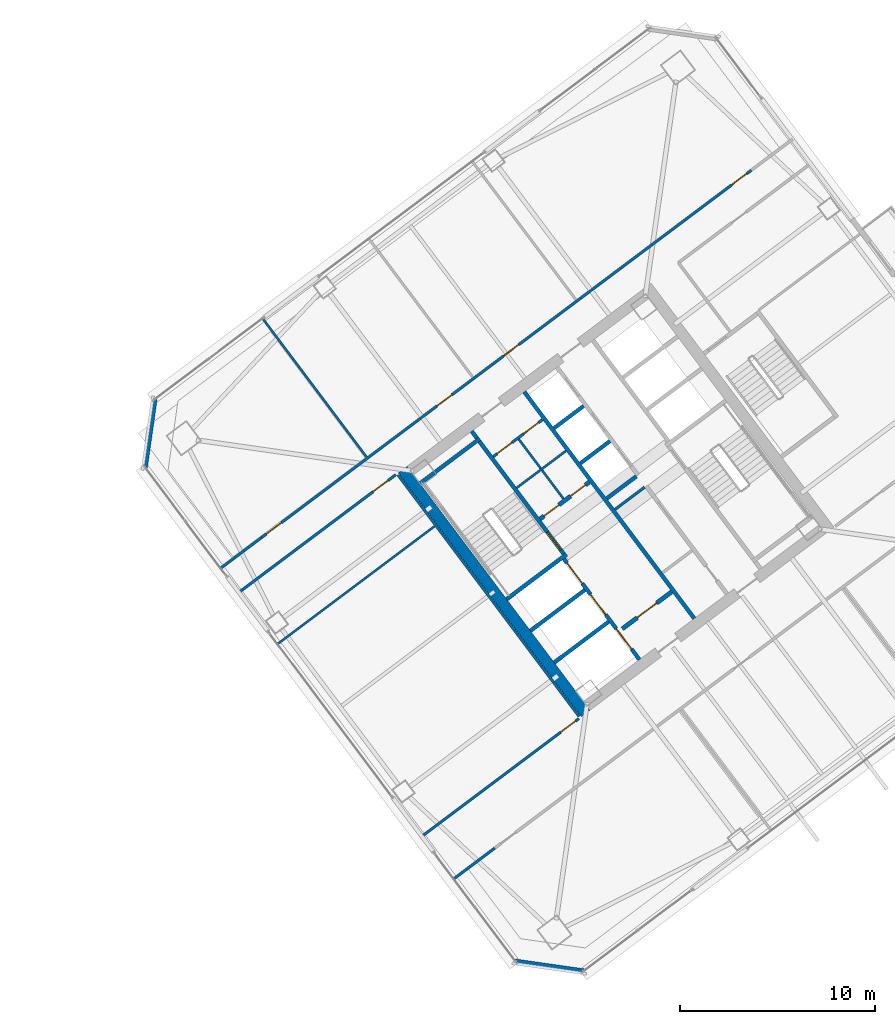
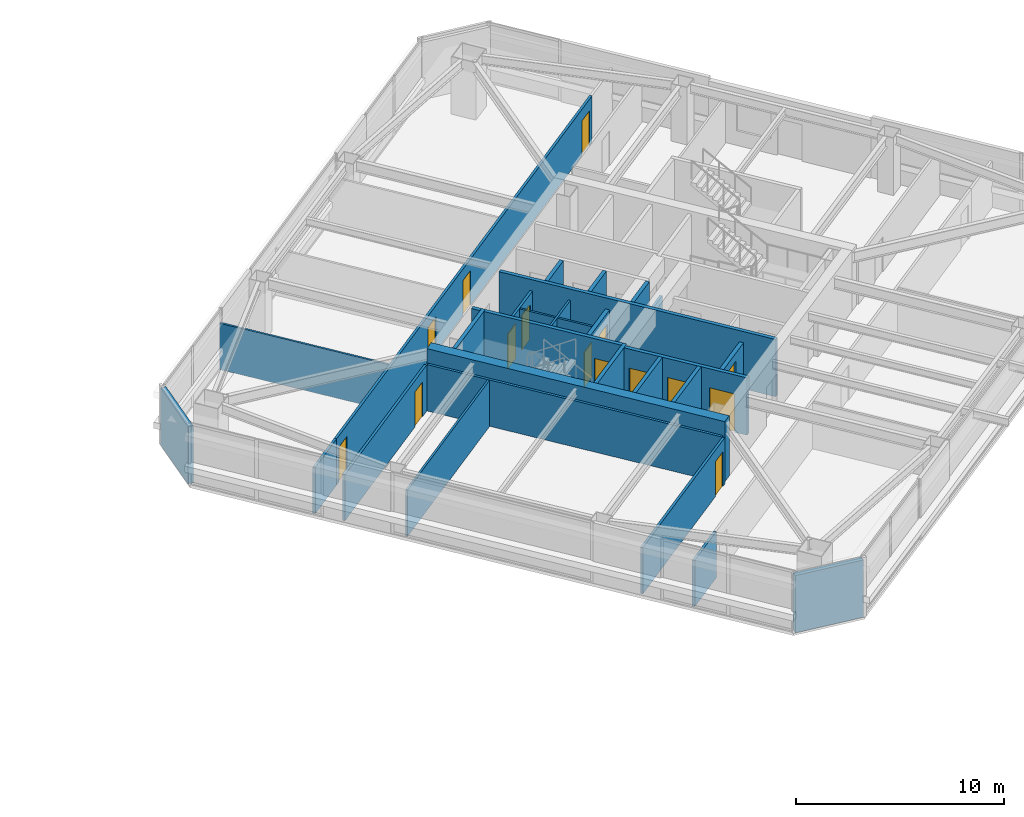
# One storey, part 37 of 46: 27 walls, 15 doors, 15 openings.
"""IFC4 building model written with IfcOpenShell, lengths in metres."""

from ifc_helpers import new_model, si_unit, direction, frame, frame_2d, origin, place, context, subcontext, project, spatial, rectangle, extrude, material, layer, layer_set, type_object, element, fill, save


model = new_model("IFC4")

# Units and contexts
model_context = context("Model", 3, precision=1e-05, world=origin(), true_north=direction((0.0, 1.0)))
body_context = subcontext(model_context, "Body", "Model", "MODEL_VIEW")
ifc_project = project(units=[si_unit("LENGTHUNIT", "METRE"), si_unit("AREAUNIT", "SQUARE_METRE"), si_unit("VOLUMEUNIT", "CUBIC_METRE"), si_unit("PLANEANGLEUNIT", "RADIAN"), si_unit("MASSUNIT", "GRAM", prefix="KILO")], contexts=[model_context])

# Site, building, storey
site_placement = place(None, origin())
site = spatial("IfcSite", under=ifc_project, at=site_placement, CompositionType="ELEMENT")
building_placement = place(site_placement, origin())
building = spatial("IfcBuilding", under=site, at=building_placement, Name="Tashvorn Skyway Center", CompositionType="ELEMENT")
storey_placement = place(building_placement, frame((0.0, 0.0, 132.14990234375)))
storey = spatial("IfcBuildingStorey", under=building, at=storey_placement, Name="L35", CompositionType="ELEMENT", Elevation=132.14990234375)

# Walls
ifc_material_1 = material(Name="Concrete C60/75", Category="concrete")
ifc_layer_1 = layer(ifc_material_1, 0.550048828125)
ifc_layer_set_1 = layer_set([ifc_layer_1], Name="Concrete C60/75")
wall_type_1 = type_object("IfcWallType", Name="WALL-CORE-550", PredefinedType="SHEAR", material=ifc_layer_set_1)
wall_1_placement = place(storey_placement, frame((112.43603515625, 21.076904296875, 0.0), z_axis=(0.0, 0.0, 1.0), x_axis=(-0.600005007985, 0.799996243986, 0.0)))
element("IfcWall", 1, at=wall_1_placement, inside=storey, type_object=wall_type_1, Name="Tower 2 L35 West Core Shear Wall", PredefinedType="SHEAR", context=body_context, shape_type="SweptSolid", body=[
    extrude(rectangle(XDim=15.60009765625, YDim=0.550048828125, at=frame_2d((7.800048828125, 0.0))), origin(), (0.0, 0.0, 1.0), 3.550048828125),
])
ifc_material_2 = material(Name="Precast concrete C40/50", Category="concrete")
ifc_layer_2 = layer(ifc_material_2, 0.280029296875)
ifc_layer_set_2 = layer_set([ifc_layer_2], Name="Precast concrete C40/50")
wall_type_2 = type_object("IfcWallType", Name="WALL-EXT-280", PredefinedType="SOLIDWALL", material=ifc_layer_set_2)
for number, where, z_axis, x_axis, name in (
    (2, (112.340087890625, 7.8798828125, 0.0), (0.0, 0.0, 1.0), (-0.989949493661, 0.141421356237, 0.0), "Tower 2 L35 SW Precast Chamfer Wall"),
    (3, (89.8798828125, 33.659912109375, 0.0), (0.0, 0.0, 1.0), (0.141421356237, 0.989949493661, 0.0), "Tower 2 L35 NW Precast Chamfer Wall"),
):
    element("IfcWall", number, at=place(storey_placement, frame(where, z_axis=z_axis, x_axis=x_axis)), inside=storey, type_object=wall_type_2, Name=name, PredefinedType="SOLIDWALL", context=body_context, shape_type="SweptSolid", body=[
        extrude(rectangle(XDim=3.53564453125, YDim=0.280029296875, at=frame_2d((1.767822265625, 0.0))), origin(), (0.0, 0.0, 1.0), 3.3701171875),
    ])

# Wall, openings, doors
ifc_material_3 = material(Name="Concrete C40/50", Category="concrete")
ifc_layer_3 = layer(ifc_material_3, 0.219970703125)
ifc_layer_set_3 = layer_set([ifc_layer_3], Name="Concrete C40/50")
wall_type_3 = type_object("IfcWallType", Name="WALL-FFL-220", PredefinedType="SOLIDWALL", material=ifc_layer_set_3)
wall_2_placement = place(storey_placement, frame((110.10400390625, 31.028076171875, 0.0), z_axis=(0.0, 0.0, 1.0), x_axis=(0.800018601094, 0.59997519774, 0.0)))
wall_2 = element("IfcWall", 4, at=wall_2_placement, inside=storey, type_object=wall_type_3, Name="Tower 2 L35 Firefighting Lobby North Wall", PredefinedType="SOLIDWALL", context=body_context, shape_type="SweptSolid", body=[
    extrude(rectangle(XDim=3.14990234375, YDim=0.219970703125, at=frame_2d((1.574951171875, 0.0))), origin(), (0.0, 0.0, 1.0), 2.72314453125),
])
opening_1_placement = place(wall_2_placement, frame((0.25, 0.0, 0.0)))
opening_1 = element("IfcOpeningElement", 5, at=opening_1_placement, cuts=wall_2, Name="Opening D-RT-950", PredefinedType="OPENING", context=body_context, shape_type="SweptSolid", body=[
    extrude(rectangle(XDim=0.949951171875, YDim=2.050048828125, at=frame_2d((0.47509765625, 1.02490234375))), frame((0.0, 0.119873046875, 0.0), z_axis=(0.0, -1.0, 0.0), x_axis=(1.0, 0.0, 0.0)), (0.0, 0.0, 1.0), 0.239990234375),
])
opening_2_placement = place(wall_2_placement, frame((1.949951171875, 0.0, 0.0)))
opening_2 = element("IfcOpeningElement", 6, at=opening_2_placement, cuts=wall_2, Name="Opening D-RT-950", PredefinedType="OPENING", context=body_context, shape_type="SweptSolid", body=[
    extrude(rectangle(XDim=0.949951171875, YDim=2.050048828125, at=frame_2d((0.47509765625, 1.02490234375))), frame((0.0, 0.119873046875, 0.0), z_axis=(0.0, -1.0, 0.0), x_axis=(1.0, 0.0, 0.0)), (0.0, 0.0, 1.0), 0.239990234375),
])
ifc_material_4 = material(Name="Hollow galvanized steel fire door assembly", Category="steel")
door_type_1 = type_object("IfcDoorType", Name="DOOR-RATED-950", OperationType="NOTDEFINED", PredefinedType="DOOR", material=ifc_material_4)
door_1_placement = place(opening_1_placement, origin())
door_1 = element("IfcDoor", 7, at=door_1_placement, inside=storey, type_object=door_type_1, Name="Tower 2 L35 Core Mail Room Door", OperationType="SINGLE_SWING_LEFT", OverallHeight=2.050048828125, OverallWidth=0.949951171875, PredefinedType="DOOR", context=body_context, shape_type="SweptSolid", body=[
    extrude(rectangle(XDim=0.949951171875, YDim=2.050048828125, at=frame_2d((0.47509765625, 1.02490234375))), frame((0.0, 0.02490234375, 0.0), z_axis=(0.0, -1.0, 0.0), x_axis=(1.0, 0.0, 0.0)), (0.0, 0.0, 1.0), 0.050048828125),
])
fill(opening_1, door_1)
door_2_placement = place(opening_2_placement, origin())
door_2 = element("IfcDoor", 8, at=door_2_placement, inside=storey, type_object=door_type_1, Name="Tower 2 L35 Core Supply Closet Door", OperationType="SINGLE_SWING_RIGHT", OverallHeight=2.050048828125, OverallWidth=0.949951171875, PredefinedType="DOOR", context=body_context, shape_type="SweptSolid", body=[
    extrude(rectangle(XDim=0.949951171875, YDim=2.050048828125, at=frame_2d((0.47509765625, 1.02490234375))), frame((0.0, 0.02490234375, 0.0), z_axis=(0.0, -1.0, 0.0), x_axis=(1.0, 0.0, 0.0)), (0.0, 0.0, 1.0), 0.050048828125),
])
fill(opening_2, door_2)

# Wall, opening, door
wall_3_placement = place(storey_placement, frame((114.31591796875, 25.412109375, 0.0), z_axis=(0.0, 0.0, 1.0), x_axis=(0.800018601094, 0.59997519774, 0.0)))
wall_3 = element("IfcWall", 9, at=wall_3_placement, inside=storey, type_object=wall_type_3, Name="Tower 2 L35 Firefighting Lobby South Wall", PredefinedType="SOLIDWALL", context=body_context, shape_type="SweptSolid", body=[
    extrude(rectangle(XDim=3.14990234375, YDim=0.219970703125, at=frame_2d((1.574951171875, 0.0))), origin(), (0.0, 0.0, 1.0), 2.72314453125),
])
opening_3_placement = place(wall_3_placement, frame((0.949951171875, 0.0, 0.0)))
opening_3 = element("IfcOpeningElement", 10, at=opening_3_placement, cuts=wall_3, Name="Opening D-FFL-1250", PredefinedType="OPENING", context=body_context, shape_type="SweptSolid", body=[
    extrude(rectangle(XDim=1.25, YDim=2.25, at=frame_2d((0.625, 1.125))), frame((0.0, 0.119873046875, 0.0), z_axis=(0.0, -1.0, 0.0), x_axis=(1.0, 0.0, 0.0)), (0.0, 0.0, 1.0), 0.239990234375),
])
door_type_2 = type_object("IfcDoorType", Name="DOOR-FFL-1250", OperationType="NOTDEFINED", PredefinedType="DOOR", material=ifc_material_4)
door_3_placement = place(opening_3_placement, origin())
door_3 = element("IfcDoor", 11, at=door_3_placement, inside=storey, type_object=door_type_2, Name="Tower 2 L35 Firefighting Lobby Egress Door", OperationType="SINGLE_SWING_LEFT", OverallHeight=2.25, OverallWidth=1.25, PredefinedType="DOOR", context=body_context, shape_type="SweptSolid", body=[
    extrude(rectangle(XDim=1.25, YDim=2.25, at=frame_2d((0.625, 1.125))), frame((0.0, 0.02490234375, 0.0), z_axis=(0.0, -1.0, 0.0), x_axis=(1.0, 0.0, 0.0)), (0.0, 0.0, 1.0), 0.050048828125),
])
fill(opening_3, door_3)

# Walls
ifc_material_5 = material(Name="Gypsum board on cold-formed steel stud framing", Category="steel")
ifc_layer_4 = layer(ifc_material_5, 0.110107421875)
ifc_layer_set_4 = layer_set([ifc_layer_4], Name="Gypsum board on cold-formed steel stud framing")
wall_type_4 = type_object("IfcWallType", Name="WALL-PART-110", PredefinedType="PARTITIONING", material=ifc_layer_set_4)
wall_4_placement = place(storey_placement, frame((101.221923828125, 34.2041015625, 0.0), z_axis=(0.0, 0.0, 1.0), x_axis=(-0.599995586027, 0.800003310461, 0.0)))
element("IfcWall", 12, at=wall_4_placement, inside=storey, type_object=wall_type_4, Name="Tower 2 L35 North Suite Partition 1", PredefinedType="PARTITIONING", context=body_context, shape_type="SweptSolid", body=[
    extrude(rectangle(XDim=8.849853515625, YDim=0.110107421875, at=frame_2d((4.4248046875, 0.0))), origin(), (0.0, 0.0, 1.0), 2.72314453125),
])
wall_5_placement = place(storey_placement, frame((96.676025390625, 24.632080078125, 0.0), z_axis=(0.0, 0.0, 1.0), x_axis=(0.800002918023, 0.599996109283, 0.0)))
element("IfcWall", 13, at=wall_5_placement, inside=storey, type_object=wall_type_4, Name="Tower 2 L35 West Mid Partition", PredefinedType="PARTITIONING", context=body_context, shape_type="SweptSolid", body=[
    extrude(rectangle(XDim=10.0400390625, YDim=0.110107421875, at=frame_2d((5.02001953125, 0.0))), origin(), (0.0, 0.0, 1.0), 2.72314453125),
])

# Wall, openings, doors
ifc_layer_5 = layer(ifc_material_5, 0.135009765625)
ifc_layer_set_5 = layer_set([ifc_layer_5], Name="Gypsum board on cold-formed steel stud framing")
wall_type_5 = type_object("IfcWallType", Name="WALL-PART-135", PredefinedType="PARTITIONING", material=ifc_layer_set_5)
wall_6_placement = place(storey_placement, frame((95.8701171875, 30.090087890625, 0.0), z_axis=(0.0, 0.0, 1.0), x_axis=(0.799997191971, 0.600003744021, 0.0)))
wall_6 = element("IfcWall", 14, at=wall_6_placement, inside=storey, type_object=wall_type_5, Name="Tower 2 L35 North Suite Wall", PredefinedType="PARTITIONING", context=body_context, shape_type="SweptSolid", body=[
    extrude(rectangle(XDim=31.2998046875, YDim=0.135009765625, at=frame_2d((15.64990234375, 0.0))), origin(), (0.0, 0.0, 1.0), 2.72314453125),
])
opening_4_placement = place(wall_6_placement, frame((0.300048828125, 0.0, 0.0)))
opening_4 = element("IfcOpeningElement", 15, at=opening_4_placement, cuts=wall_6, Name="Opening D-INT-950", PredefinedType="OPENING", context=body_context, shape_type="SweptSolid", body=[
    extrude(rectangle(XDim=0.949951171875, YDim=2.050048828125, at=frame_2d((0.47509765625, 1.02490234375))), frame((0.0, 0.077392578125, 0.0), z_axis=(0.0, -1.0, 0.0), x_axis=(1.0, 0.0, 0.0)), (0.0, 0.0, 1.0), 0.155029296875),
])
opening_5_placement = place(wall_6_placement, frame((11.201904296875, 0.0, 0.0)))
opening_5 = element("IfcOpeningElement", 16, at=opening_5_placement, cuts=wall_6, Name="Opening D-INT-950", PredefinedType="OPENING", context=body_context, shape_type="SweptSolid", body=[
    extrude(rectangle(XDim=0.949951171875, YDim=2.050048828125, at=frame_2d((0.47509765625, 1.02490234375))), frame((0.0, 0.077392578125, 0.0), z_axis=(0.0, -1.0, 0.0), x_axis=(1.0, 0.0, 0.0)), (0.0, 0.0, 1.0), 0.155029296875),
])
opening_6_placement = place(wall_6_placement, frame((15.47412109375, 0.0, 0.0)))
opening_6 = element("IfcOpeningElement", 17, at=opening_6_placement, cuts=wall_6, Name="Opening D-INT-950", PredefinedType="OPENING", context=body_context, shape_type="SweptSolid", body=[
    extrude(rectangle(XDim=0.949951171875, YDim=2.050048828125, at=frame_2d((0.47509765625, 1.02490234375))), frame((0.0, 0.077392578125, 0.0), z_axis=(0.0, -1.0, 0.0), x_axis=(1.0, 0.0, 0.0)), (0.0, 0.0, 1.0), 0.155029296875),
])
opening_7_placement = place(wall_6_placement, frame((30.050048828125, 0.0, 0.0)))
opening_7 = element("IfcOpeningElement", 18, at=opening_7_placement, cuts=wall_6, Name="Opening D-INT-950", PredefinedType="OPENING", context=body_context, shape_type="SweptSolid", body=[
    extrude(rectangle(XDim=0.949951171875, YDim=2.050048828125, at=frame_2d((0.47509765625, 1.02490234375))), frame((0.0, 0.077392578125, 0.0), z_axis=(0.0, -1.0, 0.0), x_axis=(1.0, 0.0, 0.0)), (0.0, 0.0, 1.0), 0.155029296875),
])
ifc_material_6 = material(Name="Solid-core architectural oak veneer door")
door_type_3 = type_object("IfcDoorType", Name="DOOR-INT-950", OperationType="NOTDEFINED", PredefinedType="DOOR", material=ifc_material_6)
door_4_placement = place(opening_4_placement, origin())
door_4 = element("IfcDoor", 19, at=door_4_placement, inside=storey, type_object=door_type_3, Name="Tower 2 L35 Conference Room Door", OperationType="SINGLE_SWING_LEFT", OverallHeight=2.050048828125, OverallWidth=0.949951171875, PredefinedType="DOOR", context=body_context, shape_type="SweptSolid", body=[
    extrude(rectangle(XDim=0.949951171875, YDim=2.050048828125, at=frame_2d((0.47509765625, 1.02490234375))), frame((0.0, 0.02490234375, 0.0), z_axis=(0.0, -1.0, 0.0), x_axis=(1.0, 0.0, 0.0)), (0.0, 0.0, 1.0), 0.050048828125),
])
fill(opening_4, door_4)
door_5_placement = place(opening_5_placement, origin())
door_5 = element("IfcDoor", 20, at=door_5_placement, inside=storey, type_object=door_type_3, Name="Tower 2 L35 Conference Room Door", OperationType="SINGLE_SWING_RIGHT", OverallHeight=2.050048828125, OverallWidth=0.949951171875, PredefinedType="DOOR", context=body_context, shape_type="SweptSolid", body=[
    extrude(rectangle(XDim=0.949951171875, YDim=2.050048828125, at=frame_2d((0.47509765625, 1.02490234375))), frame((0.0, 0.02490234375, 0.0), z_axis=(0.0, -1.0, 0.0), x_axis=(1.0, 0.0, 0.0)), (0.0, 0.0, 1.0), 0.050048828125),
])
fill(opening_5, door_5)
door_6_placement = place(opening_6_placement, origin())
door_6 = element("IfcDoor", 21, at=door_6_placement, inside=storey, type_object=door_type_3, Name="Tower 2 L35 Design Studio Door", OperationType="SINGLE_SWING_LEFT", OverallHeight=2.050048828125, OverallWidth=0.949951171875, PredefinedType="DOOR", context=body_context, shape_type="SweptSolid", body=[
    extrude(rectangle(XDim=0.949951171875, YDim=2.050048828125, at=frame_2d((0.47509765625, 1.02490234375))), frame((0.0, 0.02490234375, 0.0), z_axis=(0.0, -1.0, 0.0), x_axis=(1.0, 0.0, 0.0)), (0.0, 0.0, 1.0), 0.050048828125),
])
fill(opening_6, door_6)
door_7_placement = place(opening_7_placement, origin())
door_7 = element("IfcDoor", 22, at=door_7_placement, inside=storey, type_object=door_type_3, Name="Tower 2 L35 Gallery Showroom Door", OperationType="SINGLE_SWING_RIGHT", OverallHeight=2.050048828125, OverallWidth=0.949951171875, PredefinedType="DOOR", context=body_context, shape_type="SweptSolid", body=[
    extrude(rectangle(XDim=0.949951171875, YDim=2.050048828125, at=frame_2d((0.47509765625, 1.02490234375))), frame((0.0, 0.02490234375, 0.0), z_axis=(0.0, -1.0, 0.0), x_axis=(1.0, 0.0, 0.0)), (0.0, 0.0, 1.0), 0.050048828125),
])
fill(opening_7, door_7)

# Walls
for number, where, z_axis, x_axis, name in (
    (23, (93.76611328125, 28.511962890625, 0.0), (0.0, 0.0, 1.0), (0.799977721118, 0.600029704027, 0.0), "Tower 2 L35 North-West Suite South Wall"),
    (24, (105.68798828125, 12.615966796875, 0.0), (0.0, 0.0, 1.0), (0.799977721118, 0.600029704027, 0.0), "Tower 2 L35 South-West Suite North Wall"),
):
    element("IfcWall", number, at=place(storey_placement, frame(where, z_axis=z_axis, x_axis=x_axis)), inside=storey, type_object=wall_type_5, Name=name, PredefinedType="PARTITIONING", context=body_context, shape_type="SweptSolid", body=[
        extrude(rectangle(XDim=2.630126953125, YDim=0.135009765625, at=frame_2d((1.31494140625, 0.0))), origin(), (0.0, 0.0, 1.0), 2.72314453125),
    ])
wall_7_placement = place(storey_placement, frame((112.10400390625, 20.927978515625, 0.0), z_axis=(0.0, 0.0, 1.0), x_axis=(-0.599994940075, 0.800003794918, 0.0)))
element("IfcWall", 25, at=wall_7_placement, inside=storey, type_object=wall_type_5, Name="Tower 2 L35 West Inner Suite Wall", PredefinedType="PARTITIONING", context=body_context, shape_type="SweptSolid", body=[
    extrude(rectangle(XDim=15.43994140625, YDim=0.135009765625, at=frame_2d((7.719970703125, 0.0))), origin(), (0.0, 0.0, 1.0), 2.72314453125),
])

# Wall, opening, door
wall_8_placement = place(storey_placement, frame((102.72802734375, 33.2958984375, 0.0), z_axis=(0.0, 0.0, 1.0), x_axis=(-0.800002918023, -0.599996109283, 0.0)))
wall_8 = element("IfcWall", 26, at=wall_8_placement, inside=storey, type_object=wall_type_5, Name="Tower 2 L35 West Suite North Wall", PredefinedType="PARTITIONING", context=body_context, shape_type="SweptSolid", body=[
    extrude(rectangle(XDim=10.0400390625, YDim=0.135009765625, at=frame_2d((5.02001953125, 0.0))), origin(), (0.0, 0.0, 1.0), 2.72314453125),
])
opening_8_placement = place(wall_8_placement, frame((0.5, 0.0, 0.0)))
opening_8 = element("IfcOpeningElement", 27, at=opening_8_placement, cuts=wall_8, Name="Opening D-INT-950", PredefinedType="OPENING", context=body_context, shape_type="SweptSolid", body=[
    extrude(rectangle(XDim=0.949951171875, YDim=2.050048828125, at=frame_2d((0.47509765625, 1.02490234375))), frame((0.0, 0.077392578125, 0.0), z_axis=(0.0, -1.0, 0.0), x_axis=(1.0, 0.0, 0.0)), (0.0, 0.0, 1.0), 0.155029296875),
])
door_8_placement = place(opening_8_placement, origin())
door_8 = element("IfcDoor", 28, at=door_8_placement, inside=storey, type_object=door_type_3, Name="Tower 2 L35 Catering Pantry Door", OperationType="SINGLE_SWING_RIGHT", OverallHeight=2.050048828125, OverallWidth=0.949951171875, PredefinedType="DOOR", context=body_context, shape_type="SweptSolid", body=[
    extrude(rectangle(XDim=0.949951171875, YDim=2.050048828125, at=frame_2d((0.47509765625, 1.02490234375))), frame((0.0, 0.02490234375, 0.0), z_axis=(0.0, -1.0, 0.0), x_axis=(1.0, 0.0, 0.0)), (0.0, 0.0, 1.0), 0.050048828125),
])
fill(opening_8, door_8)

wall_9_placement = place(storey_placement, frame((104.055908203125, 14.7919921875, 0.0), z_axis=(0.0, 0.0, 1.0), x_axis=(0.800002918023, 0.599996109283, 0.0)))
wall_9 = element("IfcWall", 29, at=wall_9_placement, inside=storey, type_object=wall_type_5, Name="Tower 2 L35 West Suite South Wall", PredefinedType="PARTITIONING", context=body_context, shape_type="SweptSolid", body=[
    extrude(rectangle(XDim=10.0400390625, YDim=0.135009765625, at=frame_2d((5.02001953125, 0.0))), origin(), (0.0, 0.0, 1.0), 2.72314453125),
])
opening_9_placement = place(wall_9_placement, frame((8.8798828125, 0.0, 0.0)))
opening_9 = element("IfcOpeningElement", 30, at=opening_9_placement, cuts=wall_9, Name="Opening D-INT-950", PredefinedType="OPENING", context=body_context, shape_type="SweptSolid", body=[
    extrude(rectangle(XDim=0.949951171875, YDim=2.050048828125, at=frame_2d((0.47509765625, 1.02490234375))), frame((0.0, 0.077392578125, 0.0), z_axis=(0.0, -1.0, 0.0), x_axis=(1.0, 0.0, 0.0)), (0.0, 0.0, 1.0), 0.155029296875),
])
door_9_placement = place(opening_9_placement, origin())
door_9 = element("IfcDoor", 31, at=door_9_placement, inside=storey, type_object=door_type_3, Name="Tower 2 L35 Public Restroom Door", OperationType="SINGLE_SWING_LEFT", OverallHeight=2.050048828125, OverallWidth=0.949951171875, PredefinedType="DOOR", context=body_context, shape_type="SweptSolid", body=[
    extrude(rectangle(XDim=0.949951171875, YDim=2.050048828125, at=frame_2d((0.47509765625, 1.02490234375))), frame((0.0, 0.02490234375, 0.0), z_axis=(0.0, -1.0, 0.0), x_axis=(1.0, 0.0, 0.0)), (0.0, 0.0, 1.0), 0.050048828125),
])
fill(opening_9, door_9)

# Walls
ifc_layer_6 = layer(ifc_material_5, 0.110107421875)
ifc_layer_set_6 = layer_set([ifc_layer_6], Name="Gypsum board on cold-formed steel stud framing")
wall_type_6 = type_object("IfcWallType", Name="WALL-RATED-110", PredefinedType="PARTITIONING", material=ifc_layer_set_6)
wall_10_placement = place(storey_placement, frame((111.2958984375, 32.072021484375, 0.0), z_axis=(0.0, 0.0, 1.0), x_axis=(-0.59995887973, 0.800030838552, 0.0)))
element("IfcWall", 32, at=wall_10_placement, inside=storey, type_object=wall_type_6, Name="Tower 2 L35 Core Cross Vertical", PredefinedType="PARTITIONING", context=body_context, shape_type="SweptSolid", body=[
    extrude(rectangle(XDim=3.7998046875, YDim=0.110107421875, at=frame_2d((1.89990234375, 0.0))), origin(), (0.0, 0.0, 1.0), 2.72314453125),
])
wall_11_placement = place(storey_placement, frame((108.909912109375, 32.6201171875, 0.0), z_axis=(0.0, 0.0, 1.0), x_axis=(0.800018601094, 0.59997519774, 0.0)))
element("IfcWall", 33, at=wall_11_placement, inside=storey, type_object=wall_type_6, Name="Tower 2 L35 Core Cross Horizontal", PredefinedType="PARTITIONING", context=body_context, shape_type="SweptSolid", body=[
    extrude(rectangle(XDim=3.14990234375, YDim=0.110107421875, at=frame_2d((1.574951171875, 0.0))), origin(), (0.0, 0.0, 1.0), 2.72314453125),
])

# Wall, openings, doors
ifc_layer_7 = layer(ifc_material_5, 0.135009765625)
ifc_layer_set_7 = layer_set([ifc_layer_7], Name="Gypsum board on cold-formed steel stud framing")
wall_type_7 = type_object("IfcWallType", Name="WALL-RATED-135", PredefinedType="PARTITIONING", material=ifc_layer_set_7)
wall_12_placement = place(storey_placement, frame((107.7099609375, 34.219970703125, 0.0), z_axis=(0.0, 0.0, 1.0), x_axis=(0.799981399002, 0.60002480053, 0.0)))
wall_12 = element("IfcWall", 34, at=wall_12_placement, inside=storey, type_object=wall_type_7, Name="Tower 2 L35 Core Service Lobby Wall", PredefinedType="PARTITIONING", context=body_context, shape_type="SweptSolid", body=[
    extrude(rectangle(XDim=3.150146484375, YDim=0.135009765625, at=frame_2d((1.5751953125, 0.0))), origin(), (0.0, 0.0, 1.0), 2.72314453125),
])
opening_10_placement = place(wall_12_placement, frame((0.25, 0.0, 0.0)))
opening_10 = element("IfcOpeningElement", 35, at=opening_10_placement, cuts=wall_12, Name="Opening D-RT-950", PredefinedType="OPENING", context=body_context, shape_type="SweptSolid", body=[
    extrude(rectangle(XDim=0.949951171875, YDim=2.050048828125, at=frame_2d((0.47509765625, 1.02490234375))), frame((0.0, 0.077392578125, 0.0), z_axis=(0.0, -1.0, 0.0), x_axis=(1.0, 0.0, 0.0)), (0.0, 0.0, 1.0), 0.155029296875),
])
opening_11_placement = place(wall_12_placement, frame((1.949951171875, 0.0, 0.0)))
opening_11 = element("IfcOpeningElement", 36, at=opening_11_placement, cuts=wall_12, Name="Opening D-RT-950", PredefinedType="OPENING", context=body_context, shape_type="SweptSolid", body=[
    extrude(rectangle(XDim=0.949951171875, YDim=2.050048828125, at=frame_2d((0.47509765625, 1.02490234375))), frame((0.0, 0.077392578125, 0.0), z_axis=(0.0, -1.0, 0.0), x_axis=(1.0, 0.0, 0.0)), (0.0, 0.0, 1.0), 0.155029296875),
])
door_10_placement = place(opening_10_placement, origin())
door_10 = element("IfcDoor", 37, at=door_10_placement, inside=storey, type_object=door_type_1, Name="Tower 2 L35 Core Cleaner Store Door", OperationType="SINGLE_SWING_LEFT", OverallHeight=2.050048828125, OverallWidth=0.949951171875, PredefinedType="DOOR", context=body_context, shape_type="SweptSolid", body=[
    extrude(rectangle(XDim=0.949951171875, YDim=2.050048828125, at=frame_2d((0.47509765625, 1.02490234375))), frame((0.0, 0.02490234375, 0.0), z_axis=(0.0, -1.0, 0.0), x_axis=(1.0, 0.0, 0.0)), (0.0, 0.0, 1.0), 0.050048828125),
])
fill(opening_10, door_10)
door_11_placement = place(opening_11_placement, origin())
door_11 = element("IfcDoor", 38, at=door_11_placement, inside=storey, type_object=door_type_1, Name="Tower 2 L35 Core Accessible WC Door", OperationType="SINGLE_SWING_RIGHT", OverallHeight=2.050048828125, OverallWidth=0.949951171875, PredefinedType="DOOR", context=body_context, shape_type="SweptSolid", body=[
    extrude(rectangle(XDim=0.949951171875, YDim=2.050048828125, at=frame_2d((0.47509765625, 1.02490234375))), frame((0.0, 0.02490234375, 0.0), z_axis=(0.0, -1.0, 0.0), x_axis=(1.0, 0.0, 0.0)), (0.0, 0.0, 1.0), 0.050048828125),
])
fill(opening_11, door_11)

# Walls
wall_13_placement = place(storey_placement, frame((113.946044921875, 31.52197265625, 0.0), z_axis=(0.0, 0.0, 1.0), x_axis=(0.8, 0.6, 0.0)))
element("IfcWall", 39, at=wall_13_placement, inside=storey, type_object=wall_type_7, Name="Tower 2 L35 Core Room Partition", PredefinedType="PARTITIONING", context=body_context, shape_type="SweptSolid", body=[
    extrude(rectangle(XDim=1.8798828125, YDim=0.135009765625, at=frame_2d((0.93994140625, 0.0))), origin(), (0.0, 0.0, 1.0), 2.72314453125),
])
ifc_layer_8 = layer(ifc_material_3, 0.199951171875)
ifc_layer_set_8 = layer_set([ifc_layer_8], Name="Concrete C40/50")
wall_type_8 = type_object("IfcWallType", Name="WALL-SHAFT-200", PredefinedType="SOLIDWALL", material=ifc_layer_set_8)
for number, where, z_axis, x_axis, name in (
    (40, (110.825927734375, 23.681884765625, 0.0), (0.0, 0.0, 1.0), (0.8, 0.6, 0.0), "Tower 2 L35 FSAE Shaft Divider"),
    (41, (109.60791015625, 25.305908203125, 0.0), (0.0, 0.0, 1.0), (0.8, 0.6, 0.0), "Tower 2 L35 FSAE Shaft Divider"),
):
    element("IfcWall", number, at=place(storey_placement, frame(where, z_axis=z_axis, x_axis=x_axis)), inside=storey, type_object=wall_type_8, Name=name, PredefinedType="SOLIDWALL", context=body_context, shape_type="SweptSolid", body=[
        extrude(rectangle(XDim=3.480224609375, YDim=0.199951171875, at=frame_2d((1.740234375, 0.0))), origin(), (0.0, 0.0, 1.0), 3.3701171875),
    ])
wall_14_placement = place(storey_placement, frame((113.52587890625, 32.08203125, 0.0), z_axis=(0.0, 0.0, 1.0), x_axis=(0.800046745961, 0.599937666993, 0.0)))
element("IfcWall", 42, at=wall_14_placement, inside=storey, type_object=wall_type_8, Name="Tower 2 L35 Mid-Rise Shaft Divider", PredefinedType="SOLIDWALL", context=body_context, shape_type="SweptSolid", body=[
    extrude(rectangle(XDim=1.880126953125, YDim=0.199951171875, at=frame_2d((0.93994140625, 0.0))), origin(), (0.0, 0.0, 1.0), 3.3701171875),
])
wall_15_placement = place(storey_placement, frame((112.176025390625, 33.882080078125, 0.0), z_axis=(0.0, 0.0, 1.0), x_axis=(0.8, 0.6, 0.0)))
element("IfcWall", 43, at=wall_15_placement, inside=storey, type_object=wall_type_8, Name="Tower 2 L35 Mid-Rise Shaft Divider", PredefinedType="SOLIDWALL", context=body_context, shape_type="SweptSolid", body=[
    extrude(rectangle(XDim=1.8798828125, YDim=0.199951171875, at=frame_2d((0.93994140625, 0.0))), origin(), (0.0, 0.0, 1.0), 3.3701171875),
])
wall_16_placement = place(storey_placement, frame((110.825927734375, 35.681884765625, 0.0), z_axis=(0.0, 0.0, 1.0), x_axis=(0.799984418148, 0.600020775241, 0.0)))
element("IfcWall", 44, at=wall_16_placement, inside=storey, type_object=wall_type_8, Name="Tower 2 L35 Mid-Rise Shaft Divider", PredefinedType="SOLIDWALL", context=body_context, shape_type="SweptSolid", body=[
    extrude(rectangle(XDim=1.880126953125, YDim=0.199951171875, at=frame_2d((0.93994140625, 0.0))), origin(), (0.0, 0.0, 1.0), 3.3701171875),
])

# Wall, opening, door
ifc_layer_9 = layer(ifc_material_3, 0.199951171875)
ifc_layer_set_9 = layer_set([ifc_layer_9], Name="Concrete C40/50")
wall_type_9 = type_object("IfcWallType", Name="WALL-STSHF-200", PredefinedType="SHEAR", material=ifc_layer_set_9)
wall_17_placement = place(storey_placement, frame((111.43994140625, 29.080078125, 0.0), z_axis=(0.0, 0.0, 1.0), x_axis=(-0.59999029481, 0.8000072788, 0.0)))
wall_17 = element("IfcWall", 45, at=wall_17_placement, inside=storey, type_object=wall_type_9, Name="Tower 2 L35 Stair 1 Enclosure Wall", PredefinedType="SHEAR", context=body_context, shape_type="SweptSolid", body=[
    extrude(rectangle(XDim=8.0498046875, YDim=0.199951171875, at=frame_2d((4.02490234375, 0.0))), origin(), (0.0, 0.0, 1.0), 3.3701171875),
])
opening_12_placement = place(wall_17_placement, frame((0.449951171875, 0.0, 0.0)))
opening_12 = element("IfcOpeningElement", 46, at=opening_12_placement, cuts=wall_17, Name="Opening D-ST-1150", PredefinedType="OPENING", context=body_context, shape_type="SweptSolid", body=[
    extrude(rectangle(XDim=1.14990234375, YDim=2.199951171875, at=frame_2d((0.574951171875, 1.10009765625))), frame((0.0, 0.10986328125, 0.0), z_axis=(0.0, -1.0, 0.0), x_axis=(1.0, 0.0, 0.0)), (0.0, 0.0, 1.0), 0.219970703125),
])
door_type_4 = type_object("IfcDoorType", Name="DOOR-STAIR-1150", OperationType="NOTDEFINED", PredefinedType="DOOR", material=ifc_material_4)
door_12_placement = place(opening_12_placement, origin())
door_12 = element("IfcDoor", 47, at=door_12_placement, inside=storey, type_object=door_type_4, Name="Tower 2 L35 Exit Stair 1 Door", OperationType="SINGLE_SWING_RIGHT", OverallHeight=2.199951171875, OverallWidth=1.14990234375, PredefinedType="DOOR", context=body_context, shape_type="SweptSolid", body=[
    extrude(rectangle(XDim=1.14990234375, YDim=2.199951171875, at=frame_2d((0.574951171875, 1.10009765625))), frame((0.0, 0.02490234375, 0.0), z_axis=(0.0, -1.0, 0.0), x_axis=(1.0, 0.0, 0.0)), (0.0, 0.0, 1.0), 0.050048828125),
])
fill(opening_12, door_12)

# Walls
for number, where, z_axis, x_axis, name in (
    (48, (108.39599609375, 26.922119140625, 0.0), (0.0, 0.0, 1.0), (0.800015298837, 0.599979601008, 0.0), "Tower 2 L35 Stair 1 South Wall"),
    (49, (103.9560546875, 32.842041015625, 0.0), (0.0, 0.0, 1.0), (0.800015298837, 0.599979601008, 0.0), "Tower 2 L35 Stair 1 North Wall"),
):
    element("IfcWall", number, at=place(storey_placement, frame(where, z_axis=z_axis, x_axis=x_axis)), inside=storey, type_object=wall_type_9, Name=name, PredefinedType="SHEAR", context=body_context, shape_type="SweptSolid", body=[
        extrude(rectangle(XDim=3.829833984375, YDim=0.199951171875, at=frame_2d((1.9150390625, 0.0))), origin(), (0.0, 0.0, 1.0), 3.3701171875),
    ])
wall_18_placement = place(storey_placement, frame((117.998046875, 25.93603515625, 0.0), z_axis=(0.0, 0.0, 1.0), x_axis=(-0.600002693989, 0.799997979501, 0.0)))
element("IfcWall", 50, at=wall_18_placement, inside=storey, type_object=wall_type_9, Name="Tower 2 L35 Firefighting Lobby East Smoke Barrier", PredefinedType="SHEAR", context=body_context, shape_type="SweptSolid", body=[
    extrude(rectangle(XDim=14.499755859375, YDim=0.199951171875, at=frame_2d((7.25, 0.0))), origin(), (0.0, 0.0, 1.0), 3.3701171875),
])

# Wall, openings, doors
wall_19_placement = place(storey_placement, frame((115.18994140625, 23.830078125, 0.0), z_axis=(0.0, 0.0, 1.0), x_axis=(-0.599993943644, 0.800004542231, 0.0)))
wall_19 = element("IfcWall", 51, at=wall_19_placement, inside=storey, type_object=wall_type_9, Name="Tower 2 L35 FSAE and Goods Shaft Front Wall", PredefinedType="SHEAR", context=body_context, shape_type="SweptSolid", body=[
    extrude(rectangle(XDim=6.449951171875, YDim=0.199951171875, at=frame_2d((3.22509765625, 0.0))), origin(), (0.0, 0.0, 1.0), 3.3701171875),
])
opening_13_placement = place(wall_19_placement, frame((4.875, 0.0, 0.0)))
opening_13 = element("IfcOpeningElement", 52, at=opening_13_placement, cuts=wall_19, Name="Opening LD-FF-T2-1-L35", PredefinedType="OPENING", context=body_context, shape_type="SweptSolid", body=[
    extrude(rectangle(XDim=1.300048828125, YDim=2.25, at=frame_2d((0.64990234375, 1.125))), frame((0.0, 0.10986328125, 0.0), z_axis=(0.0, -1.0, 0.0), x_axis=(1.0, 0.0, 0.0)), (0.0, 0.0, 1.0), 0.219970703125),
])
opening_14_placement = place(wall_19_placement, frame((2.875, 0.0, 0.0)))
opening_14 = element("IfcOpeningElement", 53, at=opening_14_placement, cuts=wall_19, Name="Opening LD-FF-T2-2-L35", PredefinedType="OPENING", context=body_context, shape_type="SweptSolid", body=[
    extrude(rectangle(XDim=1.300048828125, YDim=2.25, at=frame_2d((0.64990234375, 1.125))), frame((0.0, 0.10986328125, 0.0), z_axis=(0.0, -1.0, 0.0), x_axis=(1.0, 0.0, 0.0)), (0.0, 0.0, 1.0), 0.219970703125),
])
opening_15_placement = place(wall_19_placement, frame((0.675048828125, 0.0, 0.0)))
opening_15 = element("IfcOpeningElement", 54, at=opening_15_placement, cuts=wall_19, Name="Opening LD-GD-T2-1-L35", PredefinedType="OPENING", context=body_context, shape_type="SweptSolid", body=[
    extrude(rectangle(XDim=1.300048828125, YDim=2.25, at=frame_2d((0.64990234375, 1.125))), frame((0.0, 0.10986328125, 0.0), z_axis=(0.0, -1.0, 0.0), x_axis=(1.0, 0.0, 0.0)), (0.0, 0.0, 1.0), 0.219970703125),
])
ifc_material_7 = material(Name="Stainless steel heavy-duty landing door", Category="steel")
door_type_5 = type_object("IfcDoorType", Name="DOOR-LIFT-1300", OperationType="SLIDING_TO_LEFT", PredefinedType="DOOR", material=ifc_material_7)
door_13_placement = place(opening_13_placement, origin())
door_13 = element("IfcDoor", 55, at=door_13_placement, inside=storey, type_object=door_type_5, Name="Lift FF-T2-1 L35 Landing Door", OperationType="SLIDING_TO_LEFT", OverallHeight=2.25, OverallWidth=1.300048828125, PredefinedType="DOOR", context=body_context, shape_type="SweptSolid", body=[
    extrude(rectangle(XDim=1.300048828125, YDim=2.25, at=frame_2d((0.64990234375, 1.125))), frame((0.0, 0.02490234375, 0.0), z_axis=(0.0, -1.0, 0.0), x_axis=(1.0, 0.0, 0.0)), (0.0, 0.0, 1.0), 0.050048828125),
])
fill(opening_13, door_13)
door_14_placement = place(opening_14_placement, origin())
door_14 = element("IfcDoor", 56, at=door_14_placement, inside=storey, type_object=door_type_5, Name="Lift FF-T2-2 L35 Landing Door", OperationType="SLIDING_TO_LEFT", OverallHeight=2.25, OverallWidth=1.300048828125, PredefinedType="DOOR", context=body_context, shape_type="SweptSolid", body=[
    extrude(rectangle(XDim=1.300048828125, YDim=2.25, at=frame_2d((0.64990234375, 1.125))), frame((0.0, 0.02490234375, 0.0), z_axis=(0.0, -1.0, 0.0), x_axis=(1.0, 0.0, 0.0)), (0.0, 0.0, 1.0), 0.050048828125),
])
fill(opening_14, door_14)
door_15_placement = place(opening_15_placement, origin())
door_15 = element("IfcDoor", 57, at=door_15_placement, inside=storey, type_object=door_type_5, Name="Lift GD-T2-1 L35 Landing Door", OperationType="SLIDING_TO_LEFT", OverallHeight=2.25, OverallWidth=1.300048828125, PredefinedType="DOOR", context=body_context, shape_type="SweptSolid", body=[
    extrude(rectangle(XDim=1.300048828125, YDim=2.25, at=frame_2d((0.64990234375, 1.125))), frame((0.0, 0.02490234375, 0.0), z_axis=(0.0, -1.0, 0.0), x_axis=(1.0, 0.0, 0.0)), (0.0, 0.0, 1.0), 0.050048828125),
])
fill(opening_15, door_15)

save(model, "model.ifc")
